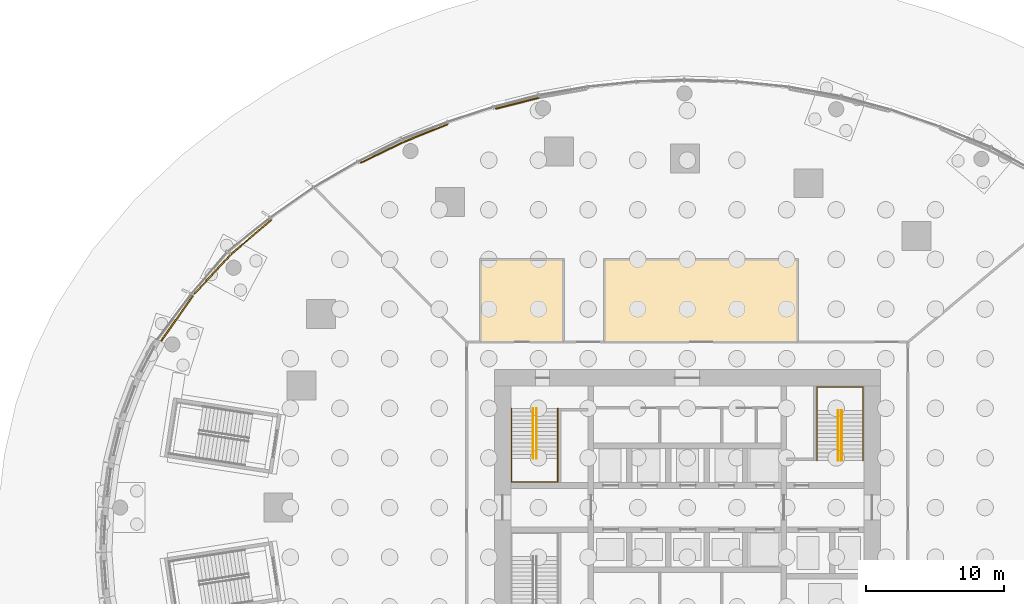
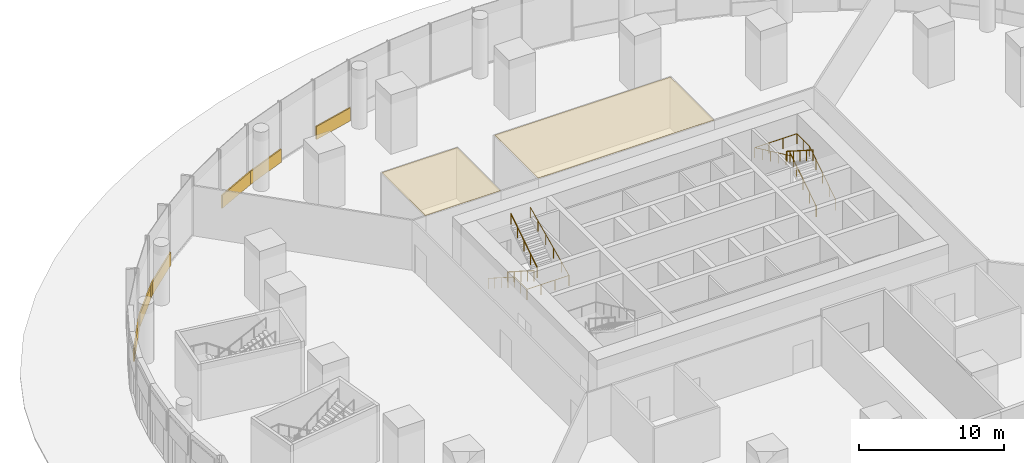
# One storey, part 26 of 29: 10 coverings, 6 railings.
"""IFC4 building model written with IfcOpenShell, lengths in metres."""

from ifc_helpers import new_model, si_unit, direction, frame, origin, origin_2d, place, context, subcontext, project, spatial, polyline, rectangle, circle, outline, extrude, material, layer, layer_set, type_object, element, save


model = new_model("IFC4")

# Units and contexts
model_context = context("Model", 3, precision=1e-05, world=origin(), true_north=direction((0.0, 1.0)))
body_context = subcontext(model_context, "Body", "Model", "MODEL_VIEW")
ifc_project = project(units=[si_unit("LENGTHUNIT", "METRE"), si_unit("AREAUNIT", "SQUARE_METRE"), si_unit("VOLUMEUNIT", "CUBIC_METRE"), si_unit("PLANEANGLEUNIT", "RADIAN"), si_unit("MASSUNIT", "GRAM", prefix="KILO")], contexts=[model_context])

# Site, building, storey
site_placement = place(None, origin())
site = spatial("IfcSite", under=ifc_project, at=site_placement, CompositionType="ELEMENT")
building_placement = place(site_placement, origin())
building = spatial("IfcBuilding", under=site, at=building_placement, Name="Ghaith Harvest Tower", CompositionType="ELEMENT")
storey_placement = place(building_placement, origin())
storey = spatial("IfcBuildingStorey", under=building, at=storey_placement, Name="L00", CompositionType="ELEMENT", Elevation=0.0)

# Coverings
ifc_material_1 = material(Name="Mineral fibre ceiling tile", Category="gypsum")
ifc_layer_1 = layer(ifc_material_1, 0.014892578125)
ifc_layer_set_1 = layer_set([ifc_layer_1], Name="CEILING C3")
covering_type_1 = type_object("IfcCoveringType", Name="CEILING C3", PredefinedType="CEILING", material=ifc_layer_set_1)
covering_1_placement = place(storey_placement, frame((0.0, 0.0, 4.199951171875)))
element("IfcCovering", 1, at=covering_1_placement, inside=storey, type_object=covering_type_1, Name="Ceiling L00-01", PredefinedType="CEILING", context=body_context, shape_type="SweptSolid", body=[
    extrude(outline(polyline([(-15.0, 12.0), (-9.0, 12.0), (-9.0, 18.0), (-15.0, 18.0), (-15.0, 12.0)])), origin(), (0.0, 0.0, 1.0), 0.01513671875),
])
covering_2_placement = place(storey_placement, frame((0.0, 0.0, 4.199951171875)))
element("IfcCovering", 2, at=covering_2_placement, inside=storey, type_object=covering_type_1, Name="Ceiling L00-02", PredefinedType="CEILING", context=body_context, shape_type="SweptSolid", body=[
    extrude(outline(polyline([(-6.0, 12.0), (8.0, 12.0), (8.0, 18.0), (-6.0, 18.0), (-6.0, 12.0)])), origin(), (0.0, 0.0, 1.0), 0.01513671875),
])

# Railings
ifc_material_2 = material(Name="Steel, black powder-coated", Category="steel")
railing_type = type_object("IfcRailingType", Name="HANDRAIL HR1", PredefinedType="HANDRAIL", material=ifc_material_2)
railing_1_placement = place(storey_placement, frame((-11.199951171875, 7.199951171875, 0.178466796875)))
element("IfcRailing", 3, at=railing_1_placement, inside=storey, type_object=railing_type, Name="Handrail HR1 stair ST1 L00 flight 1 inner", PredefinedType="HANDRAIL", context=body_context, shape_type="SweptSolid", body=[
    extrude(circle(Radius=0.02392578125, at=origin_2d()), frame((0.0, 0.0, 0.8759765625), z_axis=(0.0, -0.843111507901, 0.53773877045), x_axis=(1.0, 0.0, 0.0)), (0.0, 0.0, 1.0), 4.317138671875),
    extrude(circle(Radius=0.02099609375, at=origin_2d()), origin(), (0.0, 0.0, 1.0), 0.851806640625),
    extrude(circle(Radius=0.02099609375, at=origin_2d()), frame((0.0, -0.909912109375, 0.580322265625)), (0.0, 0.0, 1.0), 0.851806640625),
    extrude(circle(Radius=0.02099609375, at=origin_2d()), frame((0.0, -1.81982421875, 1.16064453125)), (0.0, 0.0, 1.0), 0.851806640625),
    extrude(circle(Radius=0.02099609375, at=origin_2d()), frame((0.0, -2.72998046875, 1.7412109375)), (0.0, 0.0, 1.0), 0.851806640625),
    extrude(circle(Radius=0.02099609375, at=origin_2d()), frame((0.0, -3.639892578125, 2.321533203125)), (0.0, 0.0, 1.0), 0.851806640625),
])
railing_2_placement = place(storey_placement, frame((-10.949951171875, 3.56005859375, 2.678466796875)))
element("IfcRailing", 4, at=railing_2_placement, inside=storey, type_object=railing_type, Name="Handrail HR1 stair ST1 L00 flight 2 inner", PredefinedType="HANDRAIL", context=body_context, shape_type="SweptSolid", body=[
    extrude(circle(Radius=0.02392578125, at=origin_2d()), frame((0.0, 0.0, 0.8759765625), z_axis=(0.0, 0.843111507901, 0.53773877045), x_axis=(-1.0, 0.0, 0.0)), (0.0, 0.0, 1.0), 4.317138671875),
    extrude(circle(Radius=0.02099609375, at=origin_2d()), origin(), (0.0, 0.0, 1.0), 0.851806640625),
    extrude(circle(Radius=0.02099609375, at=origin_2d()), frame((0.0, 0.909912109375, 0.580322265625)), (0.0, 0.0, 1.0), 0.851806640625),
    extrude(circle(Radius=0.02099609375, at=origin_2d()), frame((0.0, 1.81982421875, 1.16064453125)), (0.0, 0.0, 1.0), 0.851806640625),
    extrude(circle(Radius=0.02099609375, at=origin_2d()), frame((0.0, 2.72998046875, 1.7412109375)), (0.0, 0.0, 1.0), 0.851806640625),
    extrude(circle(Radius=0.02099609375, at=origin_2d()), frame((0.0, 3.639892578125, 2.321533203125)), (0.0, 0.0, 1.0), 0.851806640625),
])
railing_3_placement = place(storey_placement, frame((-12.75, 7.199951171875, 0.178466796875)))
element("IfcRailing", 5, at=railing_3_placement, inside=storey, type_object=railing_type, Name="Handrail HR1 stair ST1 L00 wall side", PredefinedType="HANDRAIL", context=body_context, shape_type="SweptSolid", body=[
    extrude(circle(Radius=0.02392578125, at=origin_2d()), frame((0.0, 0.0, 0.8759765625), z_axis=(0.0, -0.843111507901, 0.53773877045), x_axis=(1.0, 0.0, 0.0)), (0.0, 0.0, 1.0), 4.317138671875),
    extrude(circle(Radius=0.02392578125, at=origin_2d()), frame((0.0, -3.639892578125, 3.197265625), z_axis=(0.0, -1.0, 0.0), x_axis=(1.0, 0.0, 0.0)), (0.0, 0.0, 1.0), 1.7099609375),
    extrude(circle(Radius=0.02392578125, at=origin_2d()), frame((0.0, -5.349853515625, 3.197265625), z_axis=(1.0, 0.0, 0.0), x_axis=(0.0, 1.0, 0.0)), (0.0, 0.0, 1.0), 3.35009765625),
    extrude(circle(Radius=0.02392578125, at=origin_2d()), frame((3.35009765625, -5.349853515625, 3.197265625), z_axis=(0.0, 0.905962265858, 0.423358444868), x_axis=(-1.0, 0.0, 0.0)), (0.0, 0.0, 1.0), 5.9052734375),
    extrude(circle(Radius=0.02099609375, at=origin_2d()), origin(), (0.0, 0.0, 1.0), 0.851806640625),
    extrude(circle(Radius=0.02099609375, at=origin_2d()), frame((0.0, -0.909912109375, 0.580322265625)), (0.0, 0.0, 1.0), 0.851806640625),
    extrude(circle(Radius=0.02099609375, at=origin_2d()), frame((0.0, -1.81982421875, 1.16064453125)), (0.0, 0.0, 1.0), 0.851806640625),
    extrude(circle(Radius=0.02099609375, at=origin_2d()), frame((0.0, -2.72998046875, 1.7412109375)), (0.0, 0.0, 1.0), 0.851806640625),
    extrude(circle(Radius=0.02099609375, at=origin_2d()), frame((0.0, -3.639892578125, 2.321533203125)), (0.0, 0.0, 1.0), 0.851806640625),
    extrude(circle(Radius=0.02099609375, at=origin_2d()), frame((0.0, -4.494873046875, 2.321533203125)), (0.0, 0.0, 1.0), 0.851806640625),
    extrude(circle(Radius=0.02099609375, at=origin_2d()), frame((0.0, -5.349853515625, 2.321533203125)), (0.0, 0.0, 1.0), 0.851806640625),
    extrude(circle(Radius=0.02099609375, at=origin_2d()), frame((1.11669921875, -5.349853515625, 2.321533203125)), (0.0, 0.0, 1.0), 0.851806640625),
    extrude(circle(Radius=0.02099609375, at=origin_2d()), frame((2.2333984375, -5.349853515625, 2.321533203125)), (0.0, 0.0, 1.0), 0.851806640625),
    extrude(circle(Radius=0.02099609375, at=origin_2d()), frame((3.35009765625, -5.349853515625, 2.321533203125)), (0.0, 0.0, 1.0), 0.851806640625),
    extrude(circle(Radius=0.02099609375, at=origin_2d()), frame((3.35009765625, -4.27978515625, 2.821533203125)), (0.0, 0.0, 1.0), 0.851806640625),
    extrude(circle(Radius=0.02099609375, at=origin_2d()), frame((3.35009765625, -3.2099609375, 3.321533203125)), (0.0, 0.0, 1.0), 0.851806640625),
    extrude(circle(Radius=0.02099609375, at=origin_2d()), frame((3.35009765625, -2.139892578125, 3.821533203125)), (0.0, 0.0, 1.0), 0.851806640625),
    extrude(circle(Radius=0.02099609375, at=origin_2d()), frame((3.35009765625, -1.070068359375, 4.321533203125)), (0.0, 0.0, 1.0), 0.851806640625),
    extrude(circle(Radius=0.02099609375, at=origin_2d()), frame((3.35009765625, 0.0, 4.821533203125)), (0.0, 0.0, 1.0), 0.851806640625),
])
railing_4_placement = place(storey_placement, frame((11.199951171875, 3.39990234375, 0.178466796875)))
element("IfcRailing", 6, at=railing_4_placement, inside=storey, type_object=railing_type, Name="Handrail HR1 stair ST2 L00 flight 1 inner", PredefinedType="HANDRAIL", context=body_context, shape_type="SweptSolid", body=[
    extrude(circle(Radius=0.02392578125, at=origin_2d()), frame((0.0, 0.0, 0.8759765625), z_axis=(0.0, 0.843127859045, 0.537713132908), x_axis=(-1.0, 0.0, 0.0)), (0.0, 0.0, 1.0), 4.3173828125),
    extrude(circle(Radius=0.02099609375, at=origin_2d()), origin(), (0.0, 0.0, 1.0), 0.851806640625),
    extrude(circle(Radius=0.02099609375, at=origin_2d()), frame((0.0, 0.91015625, 0.580322265625)), (0.0, 0.0, 1.0), 0.851806640625),
    extrude(circle(Radius=0.02099609375, at=origin_2d()), frame((0.0, 1.820068359375, 1.16064453125)), (0.0, 0.0, 1.0), 0.851806640625),
    extrude(circle(Radius=0.02099609375, at=origin_2d()), frame((0.0, 2.72998046875, 1.7412109375)), (0.0, 0.0, 1.0), 0.851806640625),
    extrude(circle(Radius=0.02099609375, at=origin_2d()), frame((0.0, 3.64013671875, 2.321533203125)), (0.0, 0.0, 1.0), 0.851806640625),
])
railing_5_placement = place(storey_placement, frame((10.949951171875, 7.0400390625, 2.678466796875)))
element("IfcRailing", 7, at=railing_5_placement, inside=storey, type_object=railing_type, Name="Handrail HR1 stair ST2 L00 flight 2 inner", PredefinedType="HANDRAIL", context=body_context, shape_type="SweptSolid", body=[
    extrude(circle(Radius=0.02392578125, at=origin_2d()), frame((0.0, 0.0, 0.8759765625), z_axis=(0.0, -0.843127859045, 0.537713132908), x_axis=(1.0, 0.0, 0.0)), (0.0, 0.0, 1.0), 4.3173828125),
    extrude(circle(Radius=0.02099609375, at=origin_2d()), origin(), (0.0, 0.0, 1.0), 0.851806640625),
    extrude(circle(Radius=0.02099609375, at=origin_2d()), frame((0.0, -0.91015625, 0.580322265625)), (0.0, 0.0, 1.0), 0.851806640625),
    extrude(circle(Radius=0.02099609375, at=origin_2d()), frame((0.0, -1.820068359375, 1.16064453125)), (0.0, 0.0, 1.0), 0.851806640625),
    extrude(circle(Radius=0.02099609375, at=origin_2d()), frame((0.0, -2.72998046875, 1.7412109375)), (0.0, 0.0, 1.0), 0.851806640625),
    extrude(circle(Radius=0.02099609375, at=origin_2d()), frame((0.0, -3.64013671875, 2.321533203125)), (0.0, 0.0, 1.0), 0.851806640625),
])
railing_6_placement = place(storey_placement, frame((12.75, 3.39990234375, 0.178466796875)))
element("IfcRailing", 8, at=railing_6_placement, inside=storey, type_object=railing_type, Name="Handrail HR1 stair ST2 L00 wall side", PredefinedType="HANDRAIL", context=body_context, shape_type="SweptSolid", body=[
    extrude(circle(Radius=0.02392578125, at=origin_2d()), frame((0.0, 0.0, 0.8759765625), z_axis=(0.0, 0.843127859045, 0.537713132908), x_axis=(-1.0, 0.0, 0.0)), (0.0, 0.0, 1.0), 4.3173828125),
    extrude(circle(Radius=0.02392578125, at=origin_2d()), frame((0.0, 3.64013671875, 3.197265625), z_axis=(0.0, 1.0, 0.0), x_axis=(-1.0, 0.0, 0.0)), (0.0, 0.0, 1.0), 1.7099609375),
    extrude(circle(Radius=0.02392578125, at=origin_2d()), frame((0.0, 5.35009765625, 3.197265625), z_axis=(-1.0, 0.0, 0.0), x_axis=(0.0, -1.0, 0.0)), (0.0, 0.0, 1.0), 3.35009765625),
    extrude(circle(Radius=0.02392578125, at=origin_2d()), frame((-3.35009765625, 5.35009765625, 3.197265625), z_axis=(0.0, -0.905969675553, 0.423342588193), x_axis=(1.0, 0.0, 0.0)), (0.0, 0.0, 1.0), 5.9052734375),
    extrude(circle(Radius=0.02099609375, at=origin_2d()), origin(), (0.0, 0.0, 1.0), 0.851806640625),
    extrude(circle(Radius=0.02099609375, at=origin_2d()), frame((0.0, 0.91015625, 0.580322265625)), (0.0, 0.0, 1.0), 0.851806640625),
    extrude(circle(Radius=0.02099609375, at=origin_2d()), frame((0.0, 1.820068359375, 1.16064453125)), (0.0, 0.0, 1.0), 0.851806640625),
    extrude(circle(Radius=0.02099609375, at=origin_2d()), frame((0.0, 2.72998046875, 1.7412109375)), (0.0, 0.0, 1.0), 0.851806640625),
    extrude(circle(Radius=0.02099609375, at=origin_2d()), frame((0.0, 3.64013671875, 2.321533203125)), (0.0, 0.0, 1.0), 0.851806640625),
    extrude(circle(Radius=0.02099609375, at=origin_2d()), frame((0.0, 4.4951171875, 2.321533203125)), (0.0, 0.0, 1.0), 0.851806640625),
    extrude(circle(Radius=0.02099609375, at=origin_2d()), frame((0.0, 5.35009765625, 2.321533203125)), (0.0, 0.0, 1.0), 0.851806640625),
    extrude(circle(Radius=0.02099609375, at=origin_2d()), frame((-1.11669921875, 5.35009765625, 2.321533203125)), (0.0, 0.0, 1.0), 0.851806640625),
    extrude(circle(Radius=0.02099609375, at=origin_2d()), frame((-2.2333984375, 5.35009765625, 2.321533203125)), (0.0, 0.0, 1.0), 0.851806640625),
    extrude(circle(Radius=0.02099609375, at=origin_2d()), frame((-3.35009765625, 5.35009765625, 2.321533203125)), (0.0, 0.0, 1.0), 0.851806640625),
    extrude(circle(Radius=0.02099609375, at=origin_2d()), frame((-3.35009765625, 4.280029296875, 2.821533203125)), (0.0, 0.0, 1.0), 0.851806640625),
    extrude(circle(Radius=0.02099609375, at=origin_2d()), frame((-3.35009765625, 3.2099609375, 3.321533203125)), (0.0, 0.0, 1.0), 0.851806640625),
    extrude(circle(Radius=0.02099609375, at=origin_2d()), frame((-3.35009765625, 2.14013671875, 3.821533203125)), (0.0, 0.0, 1.0), 0.851806640625),
    extrude(circle(Radius=0.02099609375, at=origin_2d()), frame((-3.35009765625, 1.070068359375, 4.321533203125)), (0.0, 0.0, 1.0), 0.851806640625),
    extrude(circle(Radius=0.02099609375, at=origin_2d()), frame((-3.35009765625, 0.0, 4.821533203125)), (0.0, 0.0, 1.0), 0.851806640625),
])

# Coverings
ifc_material_3 = material(Name="Insulated aluminium spandrel panel on steel framing", Category="steel")
ifc_layer_2 = layer(ifc_material_3, 0.10009765625)
ifc_layer_set_2 = layer_set([ifc_layer_2], Name="SLAB EDGE UPSTAND 1100x100")
covering_type_2 = type_object("IfcCoveringType", Name="SLAB EDGE UPSTAND 1100x100", PredefinedType="CLADDING", material=ifc_layer_set_2)
covering_3_placement = place(storey_placement, frame((-12.330322265625, 29.32861328125, 0.0), z_axis=(0.0, 0.0, 1.0), x_axis=(-0.969536544234, -0.244946707255, 0.0)))
element("IfcCovering", 9, at=covering_3_placement, inside=storey, type_object=covering_type_2, Name="Slab edge upstand 1 bay 07 L00", PredefinedType="CLADDING", context=body_context, shape_type="SweptSolid", body=[
    extrude(rectangle(XDim=3.27490234375, YDim=0.10009765625, at=origin_2d()), origin(), (0.0, 0.0, 1.0), 1.10009765625),
])
covering_4_placement = place(storey_placement, frame((-18.998291015625, 27.154296875, 0.0), z_axis=(0.0, 0.0, 1.0), x_axis=(-0.928146567781, -0.372214922749, 0.0)))
element("IfcCovering", 10, at=covering_4_placement, inside=storey, type_object=covering_type_2, Name="Slab edge upstand 3 bay 07 L00", PredefinedType="CLADDING", context=body_context, shape_type="SweptSolid", body=[
    extrude(rectangle(XDim=3.464111328125, YDim=0.10009765625, at=origin_2d()), origin(), (0.0, 0.0, 1.0), 1.10009765625),
])
covering_5_placement = place(storey_placement, frame((-22.157958984375, 25.7587890625, 0.0), z_axis=(0.0, 0.0, 1.0), x_axis=(-0.900242920536, -0.435387969546, 0.0)))
element("IfcCovering", 11, at=covering_5_placement, inside=storey, type_object=covering_type_2, Name="Slab edge upstand 1 bay 08 L00", PredefinedType="CLADDING", context=body_context, shape_type="SweptSolid", body=[
    extrude(rectangle(XDim=3.45556640625, YDim=0.10009765625, at=origin_2d()), origin(), (0.0, 0.0, 1.0), 1.10009765625),
])
covering_6_placement = place(storey_placement, frame((-31.640625, 19.62890625, 0.0), z_axis=(0.0, 0.0, 1.0), x_axis=(-0.759360906785, -0.650669665227, 0.0)))
element("IfcCovering", 12, at=covering_6_placement, inside=storey, type_object=covering_type_2, Name="Slab edge upstand 1 bay 09 L00", PredefinedType="CLADDING", context=body_context, shape_type="SweptSolid", body=[
    extrude(rectangle(XDim=3.822998046875, YDim=0.10009765625, at=origin_2d()), origin(), (0.0, 0.0, 1.0), 1.10009765625),
])
covering_7_placement = place(storey_placement, frame((-33.271484375, 18.190673828125, 0.0), z_axis=(0.0, 0.0, 1.0), x_axis=(-0.678856404062, -0.734271055309, 0.0)))
element("IfcCovering", 13, at=covering_7_placement, inside=storey, type_object=covering_type_2, Name="Slab edge upstand 2 bay 09 L00", PredefinedType="CLADDING", context=body_context, shape_type="SweptSolid", body=[
    extrude(rectangle(XDim=0.541015625, YDim=0.10009765625, at=origin_2d()), origin(), (0.0, 0.0, 1.0), 1.10009765625),
])
covering_8_placement = place(storey_placement, frame((-34.63232421875, 16.71875, 0.0), z_axis=(0.0, 0.0, 1.0), x_axis=(-0.678856404062, -0.734271055309, 0.0)))
element("IfcCovering", 14, at=covering_8_placement, inside=storey, type_object=covering_type_2, Name="Slab edge upstand 2 bay 09 L00", PredefinedType="CLADDING", context=body_context, shape_type="SweptSolid", body=[
    extrude(rectangle(XDim=3.30126953125, YDim=0.10009765625, at=origin_2d()), origin(), (0.0, 0.0, 1.0), 1.10009765625),
])
covering_9_placement = place(storey_placement, frame((-36.90087890625, 13.893310546875, 0.0), z_axis=(0.0, 0.0, 1.0), x_axis=(-0.574389228608, -0.818582319659, 0.0)))
element("IfcCovering", 15, at=covering_9_placement, inside=storey, type_object=covering_type_2, Name="Slab edge upstand 3 bay 09 L00", PredefinedType="CLADDING", context=body_context, shape_type="SweptSolid", body=[
    extrude(rectangle(XDim=3.57568359375, YDim=0.10009765625, at=origin_2d()), origin(), (0.0, 0.0, 1.0), 1.10009765625),
])
covering_10_placement = place(storey_placement, frame((-38.068115234375, 12.22998046875, 0.0), z_axis=(0.0, 0.0, 1.0), x_axis=(-0.574389228608, -0.818582319659, 0.0)))
element("IfcCovering", 16, at=covering_10_placement, inside=storey, type_object=covering_type_2, Name="Slab edge upstand 3 bay 09 L00", PredefinedType="CLADDING", context=body_context, shape_type="SweptSolid", body=[
    extrude(rectangle(XDim=0.3623046875, YDim=0.10009765625, at=origin_2d()), origin(), (0.0, 0.0, 1.0), 1.10009765625),
])

save(model, "model.ifc")
